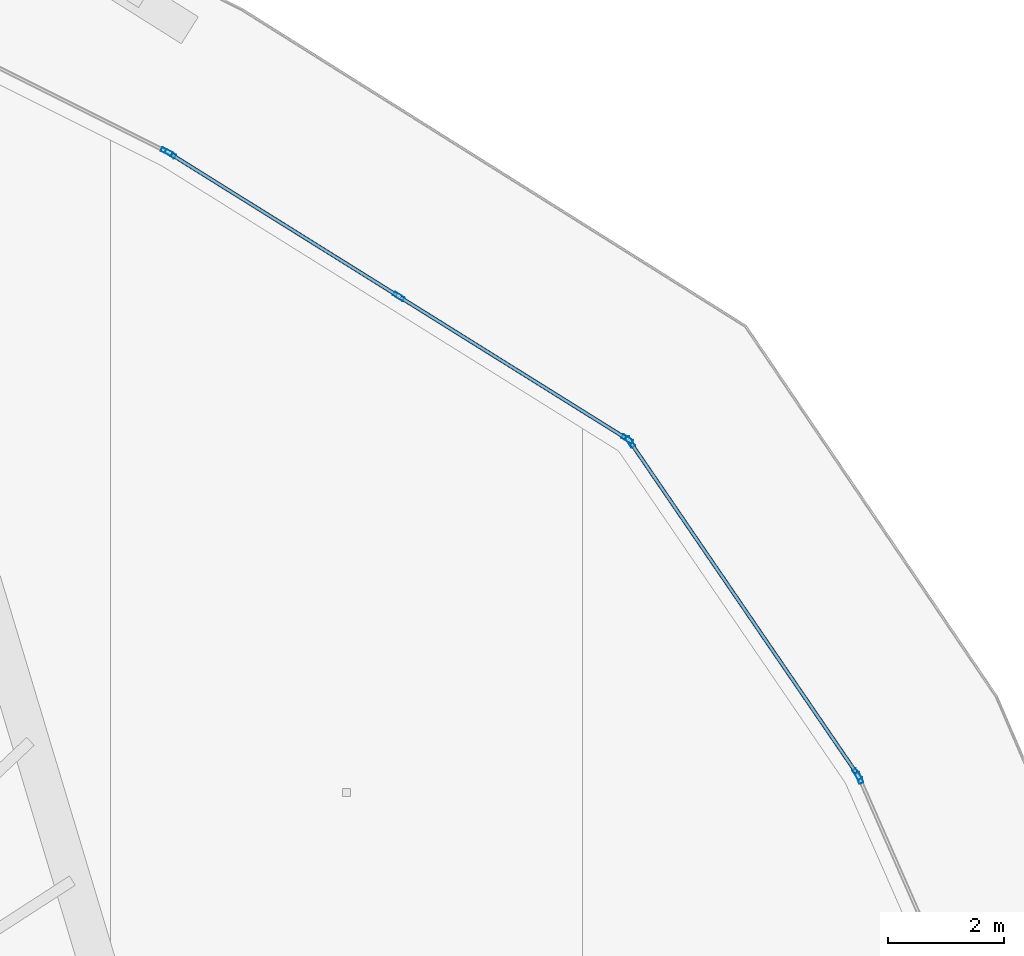
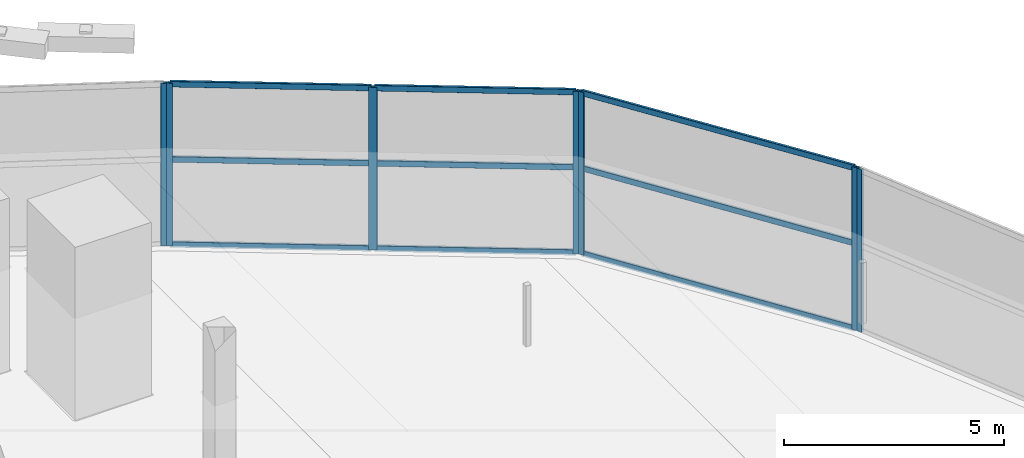
# One storey, part 21 of 42: 16 members, 4 elements without a shape of their own.
"""IFC4 building model written with IfcOpenShell, lengths in metres."""

import ifcopenshell
import ifcopenshell.guid

model = None  # the IFC model being written
_history = None  # IfcOwnerHistory: only IFC2X3 demands one
_inside = {}  # id of a spatial element -> (the spatial element, [elements in it])
_under = {}  # id of a project, library or spatial element -> (it, [spatial elements below it])
_declared = {}  # id of a project -> (the project, [libraries it declares])
_typed = {}  # id of a type object -> (the type object, [elements of that type])
_made_of = {}  # id of a material, layer set ... -> (it, [elements and type objects made of it])


def new_model(schema):
    """Start an empty IFC model of exactly this schema.

    Asked for "IFC4X3", IfcOpenShell would pick the latest addendum, in which some entities
    have other attributes; the version numbers below select the first issue.
    IFC2X3 requires an IfcOwnerHistory on every rooted entity: one is made here for all.
    """
    global model, _history
    if schema == "IFC4X3":
        model = ifcopenshell.file(schema_version=(4, 3, 0, 0))
    else:
        model = ifcopenshell.file(schema=schema)
    _inside.clear()
    _under.clear()
    _declared.clear()
    _typed.clear()
    _made_of.clear()
    _history = None
    if model.schema == "IFC2X3":
        org = make("IfcOrganization", Name="unknown")
        user = make(
            "IfcPersonAndOrganization",
            ThePerson=make("IfcPerson", FamilyName="unknown"),
            TheOrganization=org,
        )
        app = make(
            "IfcApplication",
            ApplicationDeveloper=org,
            Version="unknown",
            ApplicationFullName="unknown",
            ApplicationIdentifier="unknown",
        )
        _history = make(
            "IfcOwnerHistory",
            OwningUser=user,
            OwningApplication=app,
            ChangeAction="ADDED",
            CreationDate=0,
        )
    return model


def make(cls, **values):
    """One entity of the class cls with the attributes given. An attribute that is None is left unset."""
    return model.create_entity(
        cls, **{name: value for name, value in values.items() if value is not None}
    )


def rooted(cls, **values):
    """An entity with a GlobalId (a new one), such as an element, a storey or a relation."""
    return make(cls, GlobalId=ifcopenshell.guid.new(), OwnerHistory=_history, **values)


def si_unit(unit_type, name, prefix=None):
    """IfcSIUnit, for example si_unit("LENGTHUNIT", "METRE", prefix="MILLI")."""
    return make("IfcSIUnit", UnitType=unit_type, Prefix=prefix, Name=name)


def assignment(units):
    """IfcUnitAssignment: the units of a project."""
    return None if units is None else make("IfcUnitAssignment", Units=units)


def point(xyz):
    """IfcCartesianPoint."""
    return None if xyz is None else make("IfcCartesianPoint", Coordinates=xyz)


def direction(xyz):
    """IfcDirection."""
    return None if xyz is None else make("IfcDirection", DirectionRatios=xyz)


def frame(location, z_axis=None, x_axis=None):
    """IfcAxis2Placement3D, a coordinate frame: its origin and axes. An axis left out is left unset."""
    return make(
        "IfcAxis2Placement3D",
        Location=point(location),
        Axis=direction(z_axis),
        RefDirection=direction(x_axis),
    )


def frame_2d(location, x_axis=None):
    """IfcAxis2Placement2D, a coordinate frame in the plane: its origin and x axis."""
    return make(
        "IfcAxis2Placement2D", Location=point(location), RefDirection=direction(x_axis)
    )


def origin():
    """The frame at (0, 0, 0) with its axes left unset."""
    return frame((0.0, 0.0, 0.0))


def origin_2d():
    """The frame at (0, 0) in the plane with its x axis left unset."""
    return frame_2d((0.0, 0.0))


def place(relative_to, where):
    """IfcLocalPlacement: puts the frame where relative to a parent placement (None: the world)."""
    return make(
        "IfcLocalPlacement", PlacementRelTo=relative_to, RelativePlacement=where
    )


def context(
    kind, dimensions, precision=None, world=None, true_north=None, identifier=None
):
    """IfcGeometricRepresentationContext, for example the 3D "Model" context."""
    return make(
        "IfcGeometricRepresentationContext",
        ContextIdentifier=identifier,
        ContextType=kind,
        CoordinateSpaceDimension=dimensions,
        Precision=precision,
        WorldCoordinateSystem=world,
        TrueNorth=true_north,
    )


def subcontext(parent, identifier, kind, view, scale=None):
    """IfcGeometricRepresentationSubContext, for example "Body" below "Model"."""
    return make(
        "IfcGeometricRepresentationSubContext",
        ContextIdentifier=identifier,
        ContextType=kind,
        ParentContext=parent,
        TargetScale=scale,
        TargetView=view,
    )


def project(units=None, contexts=None):
    """IfcProject with its units and contexts."""
    return rooted(
        "IfcProject",
        Name="project",
        RepresentationContexts=contexts,
        UnitsInContext=assignment(units),
    )


def spatial(cls, under=None, at=None, **own):
    """A site, building, storey or space (cls), placed at a placement, below another one or the project."""
    s = rooted(cls, ObjectPlacement=at, **own)
    if under is not None:
        _under.setdefault(under.id(), (under, []))[1].append(s)
    return s


def profile(cls, at=None, kind="AREA", **sizes):
    """A parametric profile (cls). Its sizes go by their IFC names, for example OverallWidth=200.0."""
    return make(cls, ProfileType=kind, Position=at, **sizes)


def hollow_rectangle(**sizes):
    """IfcRectangleHollowProfileDef."""
    return profile("IfcRectangleHollowProfileDef", **sizes)


def extrude(swept, where, along, depth):
    """IfcExtrudedAreaSolid: the profile swept, set in the frame where, extruded along a direction by depth."""
    return make(
        "IfcExtrudedAreaSolid",
        SweptArea=swept,
        Position=where,
        ExtrudedDirection=direction(along),
        Depth=depth,
    )


def shape(context_of_items, identifier, shape_type, items):
    """IfcShapeRepresentation: the items that make up one representation, for example the "Body"."""
    return make(
        "IfcShapeRepresentation",
        ContextOfItems=context_of_items,
        RepresentationIdentifier=identifier,
        RepresentationType=shape_type,
        Items=items,
    )


def material(Name=None, Category=None):
    """IfcMaterial."""
    return make("IfcMaterial", Name=Name, Category=Category)


def layer(
    of_material, thickness, ventilated=None, Name=None, Category=None, Priority=None
):
    """IfcMaterialLayer: one layer of a wall or slab, of a material (None: an air gap)."""
    return make(
        "IfcMaterialLayer",
        Material=of_material,
        LayerThickness=thickness,
        IsVentilated=ventilated,
        Name=Name,
        Category=Category,
        Priority=Priority,
    )


def layer_set(layers, Name=None):
    """IfcMaterialLayerSet."""
    return make("IfcMaterialLayerSet", MaterialLayers=layers, LayerSetName=Name)


def material_profile(
    of_material, cross_section, Name=None, Category=None, Priority=None
):
    """IfcMaterialProfile: a cross section and its material."""
    return make(
        "IfcMaterialProfile",
        Name=Name,
        Material=of_material,
        Profile=cross_section,
        Priority=Priority,
        Category=Category,
    )


def profile_set(profiles, Name=None, composite=None):
    """IfcMaterialProfileSet."""
    return make(
        "IfcMaterialProfileSet",
        Name=Name,
        MaterialProfiles=profiles,
        CompositeProfile=composite,
    )


def made_of(thing, what):
    """Note that an element or type object is made of a material, layer set ...; save() writes the relation."""
    if what is not None:
        _made_of.setdefault(what.id(), (what, []))[1].append(thing)
    return thing


def type_object(cls, material=None, **own):
    """A type object (cls), such as IfcWallType, which elements share."""
    return made_of(rooted(cls, **own), material)


def element(
    cls,
    number,
    at=None,
    inside=None,
    cuts=None,
    type_object=None,
    material=None,
    context=None,
    identifier="Body",
    shape_type=None,
    held_by="IfcProductDefinitionShape",
    body=None,
    shapes=None,
    **own,
):
    """One element of the class cls, such as IfcWall. Its Tag is "e" and its number.

    at: its placement. inside: the storey or other place that contains it. cuts: it is an
    opening in that element (IfcRelVoidsElement). A single representation is given by context,
    identifier, shape_type and body (its items); several are given by shapes. held_by: the class
    of the entity that holds the representations. save() writes the other relations.
    """
    e = rooted(cls, Tag="e%d" % number, ObjectPlacement=at, **own)
    if body is not None:
        shapes = [shape(context, identifier, shape_type, body)]
    if shapes is not None:
        e.Representation = make(held_by, Representations=shapes)
    if inside is not None:
        _inside.setdefault(inside.id(), (inside, []))[1].append(e)
    if cuts is not None:
        rooted(
            "IfcRelVoidsElement", RelatingBuildingElement=cuts, RelatedOpeningElement=e
        )
    if type_object is not None:
        _typed.setdefault(type_object.id(), (type_object, []))[1].append(e)
    return made_of(e, material)


def aggregate(whole, parts):
    """IfcRelAggregates: a whole, such as a stair, and the parts it consists of."""
    return rooted("IfcRelAggregates", RelatingObject=whole, RelatedObjects=parts)


def save(model, path):
    """Write the relations noted so far, then the file.

    IfcRelAggregates (storeys below a building ...), IfcRelContainedInSpatialStructure (elements
    in a storey), IfcRelDefinesByType, IfcRelAssociatesMaterial and IfcRelDeclares: one each for
    every whole, place, type object, material and project.
    """
    for whole, parts in _under.values():
        aggregate(whole, parts)
    for where, things in _inside.values():
        rooted(
            "IfcRelContainedInSpatialStructure",
            RelatedElements=things,
            RelatingStructure=where,
        )
    for kind, things in _typed.values():
        rooted("IfcRelDefinesByType", RelatedObjects=things, RelatingType=kind)
    for what, things in _made_of.values():
        rooted("IfcRelAssociatesMaterial", RelatedObjects=things, RelatingMaterial=what)
    for by, libraries in _declared.values():
        rooted("IfcRelDeclares", RelatingContext=by, RelatedDefinitions=libraries)
    model.write(path)


model = new_model("IFC4")

# Units and contexts
model_context = context("Model", 3, precision=1e-05, world=origin(), true_north=direction((0.0, 1.0)))
body_context = subcontext(model_context, "Body", "Model", "MODEL_VIEW")
ifc_project = project(units=[si_unit("LENGTHUNIT", "METRE"), si_unit("AREAUNIT", "SQUARE_METRE"), si_unit("VOLUMEUNIT", "CUBIC_METRE"), si_unit("PLANEANGLEUNIT", "RADIAN"), si_unit("MASSUNIT", "GRAM", prefix="KILO")], contexts=[model_context])

# Site, building, storey
site_placement = place(None, origin())
site = spatial("IfcSite", under=ifc_project, at=site_placement, CompositionType="ELEMENT")
building_placement = place(site_placement, origin())
building = spatial("IfcBuilding", under=site, at=building_placement, Name="Qorvath Tower", CompositionType="ELEMENT")
storey_placement = place(building_placement, frame((0.0, 0.0, 105.0)))
storey = spatial("IfcBuildingStorey", under=building, at=storey_placement, Name="L23", CompositionType="ELEMENT", Elevation=105.0)

# Curtain wall, member
ifc_material_1 = material(Name="Anodised aluminium and triple low-E glass", Category="aluminium")
ifc_layer = layer(ifc_material_1, 0.179931640625)
ifc_layer_set = layer_set([ifc_layer], Name="CW-SYS-5")
curtain_wall_type = type_object("IfcCurtainWallType", Name="CW-SYS-5", PredefinedType="NOTDEFINED", material=ifc_layer_set)
curtain_wall_1_placement = place(storey_placement, origin())
curtain_wall_1 = element("IfcCurtainWall", 1, at=curtain_wall_1_placement, inside=storey, type_object=curtain_wall_type, Name="Curtain Wall CW-5 CW-T-L23-12.1", PredefinedType="NOTDEFINED")
ifc_material_2 = material(Name="Anodised aluminium 6063-T6", Category="aluminium")
ifc_material_profile_1 = material_profile(ifc_material_2, hollow_rectangle(XDim=0.074951171875, YDim=0.199951171875, WallThickness=0.00390625, InnerFilletRadius=0.00390625, OuterFilletRadius=0.008056640625, at=origin_2d()), Name="CWM 200x75")
ifc_profile_set_1 = profile_set([ifc_material_profile_1], Name="Anodised aluminium 6063-T6")
member_type_1 = type_object("IfcMemberType", Name="CWM-200", PredefinedType="MULLION", material=ifc_profile_set_1)
member_1_placement = place(storey_placement, frame((0.8876953125, 18.315185546875, 0.0), z_axis=(0.0, 0.0, 1.0), x_axis=(-0.91585067731, -0.401519036748, 0.0)))
member_1 = element("IfcMember", 2, at=member_1_placement, type_object=member_type_1, Name="CW-5 mullion 2", PredefinedType="MULLION", context=body_context, shape_type="SweptSolid", body=[
    extrude(hollow_rectangle(XDim=0.074951171875, YDim=0.199951171875, WallThickness=0.00390625, InnerFilletRadius=0.00390625, OuterFilletRadius=0.008056640625, at=origin_2d()), origin(), (0.0, 0.0, 1.0), 4.52001953125),
])
aggregate(curtain_wall_1, [member_1])

# Curtain wall, members
curtain_wall_2_placement = place(storey_placement, origin())
curtain_wall_2 = element("IfcCurtainWall", 3, at=curtain_wall_2_placement, inside=storey, type_object=curtain_wall_type, Name="Curtain Wall CW-5 CW-T-L23-13.1", PredefinedType="NOTDEFINED")
member_2_placement = place(storey_placement, frame((0.8515625, 18.380615234375, 0.0), z_axis=(0.0, 0.0, 1.0), x_axis=(-0.825692764076, -0.564120075297, 0.0)))
member_2 = element("IfcMember", 4, at=member_2_placement, type_object=member_type_1, Name="CW-5 mullion 1", PredefinedType="MULLION", context=body_context, shape_type="SweptSolid", body=[
    extrude(hollow_rectangle(XDim=0.074951171875, YDim=0.199951171875, WallThickness=0.00390625, InnerFilletRadius=0.00390625, OuterFilletRadius=0.008056640625, at=origin_2d()), origin(), (0.0, 0.0, 1.0), 4.52001953125),
])
member_3_placement = place(storey_placement, frame((-3.073974609375, 24.126220703125, 0.0), z_axis=(0.0, 0.0, 1.0), x_axis=(-0.825692764076, -0.564120075297, 0.0)))
member_3 = element("IfcMember", 5, at=member_3_placement, type_object=member_type_1, Name="CW-5 mullion 2", PredefinedType="MULLION", context=body_context, shape_type="SweptSolid", body=[
    extrude(hollow_rectangle(XDim=0.074951171875, YDim=0.199951171875, WallThickness=0.00390625, InnerFilletRadius=0.00390625, OuterFilletRadius=0.008056640625, at=origin_2d()), origin(), (0.0, 0.0, 1.0), 4.52001953125),
])

curtain_wall_3_placement = place(storey_placement, origin())
curtain_wall_3 = element("IfcCurtainWall", 6, at=curtain_wall_3_placement, inside=storey, type_object=curtain_wall_type, Name="Curtain Wall CW-5 CW-T-L23-14.1", PredefinedType="NOTDEFINED")
member_4_placement = place(storey_placement, frame((-3.126953125, 24.177001953125, 0.0), z_axis=(0.0, 0.0, 1.0), x_axis=(-0.529584429037, -0.848257232519, 0.0)))
member_4 = element("IfcMember", 7, at=member_4_placement, type_object=member_type_1, Name="CW-5 mullion 1", PredefinedType="MULLION", context=body_context, shape_type="SweptSolid", body=[
    extrude(hollow_rectangle(XDim=0.074951171875, YDim=0.199951171875, WallThickness=0.00390625, InnerFilletRadius=0.00390625, OuterFilletRadius=0.008056640625, at=origin_2d()), origin(), (0.0, 0.0, 1.0), 4.52001953125),
])
member_5_placement = place(storey_placement, frame((-7.078369140625, 26.643798828125, 0.0), z_axis=(0.0, 0.0, 1.0), x_axis=(-0.529584429037, -0.848257232519, 0.0)))
member_5 = element("IfcMember", 8, at=member_5_placement, type_object=member_type_1, Name="CW-5 mullion 2", PredefinedType="MULLION", context=body_context, shape_type="SweptSolid", body=[
    extrude(hollow_rectangle(XDim=0.074951171875, YDim=0.199951171875, WallThickness=0.00390625, InnerFilletRadius=0.00390625, OuterFilletRadius=0.008056640625, at=origin_2d()), origin(), (0.0, 0.0, 1.0), 4.52001953125),
])
member_6_placement = place(storey_placement, frame((-11.029541015625, 29.11083984375, 0.0), z_axis=(0.0, 0.0, 1.0), x_axis=(-0.529584429037, -0.848257232519, 0.0)))
member_6 = element("IfcMember", 9, at=member_6_placement, type_object=member_type_1, Name="CW-5 mullion 3", PredefinedType="MULLION", context=body_context, shape_type="SweptSolid", body=[
    extrude(hollow_rectangle(XDim=0.074951171875, YDim=0.199951171875, WallThickness=0.00390625, InnerFilletRadius=0.00390625, OuterFilletRadius=0.008056640625, at=origin_2d()), origin(), (0.0, 0.0, 1.0), 4.52001953125),
])

# Curtain wall, member
curtain_wall_4_placement = place(storey_placement, origin())
curtain_wall_4 = element("IfcCurtainWall", 10, at=curtain_wall_4_placement, inside=storey, type_object=curtain_wall_type, Name="Curtain Wall CW-5 CW-T-L23-15.1", PredefinedType="NOTDEFINED")
member_7_placement = place(storey_placement, frame((-11.0947265625, 29.1474609375, 0.0), z_axis=(0.0, 0.0, 1.0), x_axis=(-0.447189646231, -0.894439165234, 0.0)))
member_7 = element("IfcMember", 11, at=member_7_placement, type_object=member_type_1, Name="CW-5 mullion 1", PredefinedType="MULLION", context=body_context, shape_type="SweptSolid", body=[
    extrude(hollow_rectangle(XDim=0.074951171875, YDim=0.199951171875, WallThickness=0.00390625, InnerFilletRadius=0.00390625, OuterFilletRadius=0.008056640625, at=origin_2d()), origin(), (0.0, 0.0, 1.0), 4.52001953125),
])
aggregate(curtain_wall_4, [member_7])

# Member
ifc_material_3 = material(Name="Anodised aluminium 6063-T6", Category="aluminium")
ifc_material_profile_2 = material_profile(ifc_material_3, hollow_rectangle(XDim=0.06494140625, YDim=0.159912109375, WallThickness=0.00341796875, InnerFilletRadius=0.00341796875, OuterFilletRadius=0.007080078125, at=origin_2d()), Name="CWT 160x65")
ifc_profile_set_2 = profile_set([ifc_material_profile_2], Name="Anodised aluminium 6063-T6")
member_type_2 = type_object("IfcMemberType", Name="CWT-160", PredefinedType="USERDEFINED", material=ifc_profile_set_2)
member_8_placement = place(storey_placement, frame((0.830322265625, 18.41162109375, 0.032470703125), z_axis=(-0.564142148778, 0.825677682859, 0.0), x_axis=(-0.825677682859, -0.564142148778, 0.0)))
member_8 = element("IfcMember", 12, at=member_8_placement, type_object=member_type_2, Name="CW-5 transom 1.1", ObjectType="TRANSOM", PredefinedType="USERDEFINED", context=body_context, shape_type="SweptSolid", body=[
    extrude(hollow_rectangle(XDim=0.06494140625, YDim=0.159912109375, WallThickness=0.00341796875, InnerFilletRadius=0.00341796875, OuterFilletRadius=0.007080078125, at=origin_2d()), origin(), (0.0, 0.0, 1.0), 6.883544921875),
])

member_9_placement = place(storey_placement, frame((0.830322265625, 18.41162109375, 2.39990234375), z_axis=(-0.564142148778, 0.825677682859, 0.0), x_axis=(-0.825677682859, -0.564142148778, 0.0)))
member_9 = element("IfcMember", 13, at=member_9_placement, type_object=member_type_2, Name="CW-5 transom 1.2", ObjectType="TRANSOM", PredefinedType="USERDEFINED", context=body_context, shape_type="SweptSolid", body=[
    extrude(hollow_rectangle(XDim=0.06494140625, YDim=0.159912109375, WallThickness=0.00341796875, InnerFilletRadius=0.00341796875, OuterFilletRadius=0.007080078125, at=origin_2d()), origin(), (0.0, 0.0, 1.0), 6.883544921875),
])

member_10_placement = place(storey_placement, frame((0.830322265625, 18.41162109375, 4.487548828125), z_axis=(-0.564142148778, 0.825677682859, 0.0), x_axis=(-0.825677682859, -0.564142148778, 0.0)))
member_10 = element("IfcMember", 14, at=member_10_placement, type_object=member_type_2, Name="CW-5 transom 1.3", ObjectType="TRANSOM", PredefinedType="USERDEFINED", context=body_context, shape_type="SweptSolid", body=[
    extrude(hollow_rectangle(XDim=0.06494140625, YDim=0.159912109375, WallThickness=0.00341796875, InnerFilletRadius=0.00341796875, OuterFilletRadius=0.007080078125, at=origin_2d()), origin(), (0.0, 0.0, 1.0), 6.883544921875),
])

aggregate(curtain_wall_2, [member_2, member_3, member_8, member_9, member_10])

member_11_placement = place(storey_placement, frame((-3.158935546875, 24.197021484375, 0.032470703125), z_axis=(-0.848258578669, 0.529582272847, 0.0), x_axis=(-0.529582272847, -0.848258578669, 0.0)))
member_11 = element("IfcMember", 15, at=member_11_placement, type_object=member_type_2, Name="CW-5 transom 1.1", ObjectType="TRANSOM", PredefinedType="USERDEFINED", context=body_context, shape_type="SweptSolid", body=[
    extrude(hollow_rectangle(XDim=0.06494140625, YDim=0.159912109375, WallThickness=0.00341796875, InnerFilletRadius=0.00341796875, OuterFilletRadius=0.007080078125, at=origin_2d()), origin(), (0.0, 0.0, 1.0), 4.582763671875),
])

member_12_placement = place(storey_placement, frame((-3.158935546875, 24.197021484375, 2.39990234375), z_axis=(-0.848258578669, 0.529582272847, 0.0), x_axis=(-0.529582272847, -0.848258578669, 0.0)))
member_12 = element("IfcMember", 16, at=member_12_placement, type_object=member_type_2, Name="CW-5 transom 1.2", ObjectType="TRANSOM", PredefinedType="USERDEFINED", context=body_context, shape_type="SweptSolid", body=[
    extrude(hollow_rectangle(XDim=0.06494140625, YDim=0.159912109375, WallThickness=0.00341796875, InnerFilletRadius=0.00341796875, OuterFilletRadius=0.007080078125, at=origin_2d()), origin(), (0.0, 0.0, 1.0), 4.582763671875),
])

member_13_placement = place(storey_placement, frame((-3.158935546875, 24.197021484375, 4.487548828125), z_axis=(-0.848258578669, 0.529582272847, 0.0), x_axis=(-0.529582272847, -0.848258578669, 0.0)))
member_13 = element("IfcMember", 17, at=member_13_placement, type_object=member_type_2, Name="CW-5 transom 1.3", ObjectType="TRANSOM", PredefinedType="USERDEFINED", context=body_context, shape_type="SweptSolid", body=[
    extrude(hollow_rectangle(XDim=0.06494140625, YDim=0.159912109375, WallThickness=0.00341796875, InnerFilletRadius=0.00341796875, OuterFilletRadius=0.007080078125, at=origin_2d()), origin(), (0.0, 0.0, 1.0), 4.582763671875),
])

member_14_placement = place(storey_placement, frame((-7.110107421875, 26.663818359375, 0.032470703125), z_axis=(-0.848273518332, 0.529558342486, 0.0), x_axis=(-0.529558342486, -0.848273518332, 0.0)))
member_14 = element("IfcMember", 18, at=member_14_placement, type_object=member_type_2, Name="CW-5 transom 2.1", ObjectType="TRANSOM", PredefinedType="USERDEFINED", context=body_context, shape_type="SweptSolid", body=[
    extrude(hollow_rectangle(XDim=0.06494140625, YDim=0.159912109375, WallThickness=0.00341796875, InnerFilletRadius=0.00341796875, OuterFilletRadius=0.007080078125, at=origin_2d()), origin(), (0.0, 0.0, 1.0), 4.5830078125),
])

member_15_placement = place(storey_placement, frame((-7.110107421875, 26.663818359375, 2.39990234375), z_axis=(-0.848273518332, 0.529558342486, 0.0), x_axis=(-0.529558342486, -0.848273518332, 0.0)))
member_15 = element("IfcMember", 19, at=member_15_placement, type_object=member_type_2, Name="CW-5 transom 2.2", ObjectType="TRANSOM", PredefinedType="USERDEFINED", context=body_context, shape_type="SweptSolid", body=[
    extrude(hollow_rectangle(XDim=0.06494140625, YDim=0.159912109375, WallThickness=0.00341796875, InnerFilletRadius=0.00341796875, OuterFilletRadius=0.007080078125, at=origin_2d()), origin(), (0.0, 0.0, 1.0), 4.5830078125),
])

member_16_placement = place(storey_placement, frame((-7.110107421875, 26.663818359375, 4.487548828125), z_axis=(-0.848273518332, 0.529558342486, 0.0), x_axis=(-0.529558342486, -0.848273518332, 0.0)))
member_16 = element("IfcMember", 20, at=member_16_placement, type_object=member_type_2, Name="CW-5 transom 2.3", ObjectType="TRANSOM", PredefinedType="USERDEFINED", context=body_context, shape_type="SweptSolid", body=[
    extrude(hollow_rectangle(XDim=0.06494140625, YDim=0.159912109375, WallThickness=0.00341796875, InnerFilletRadius=0.00341796875, OuterFilletRadius=0.007080078125, at=origin_2d()), origin(), (0.0, 0.0, 1.0), 4.5830078125),
])

aggregate(curtain_wall_3, [member_4, member_5, member_6, member_11, member_12, member_13, member_14, member_15, member_16])

save(model, "model.ifc")
